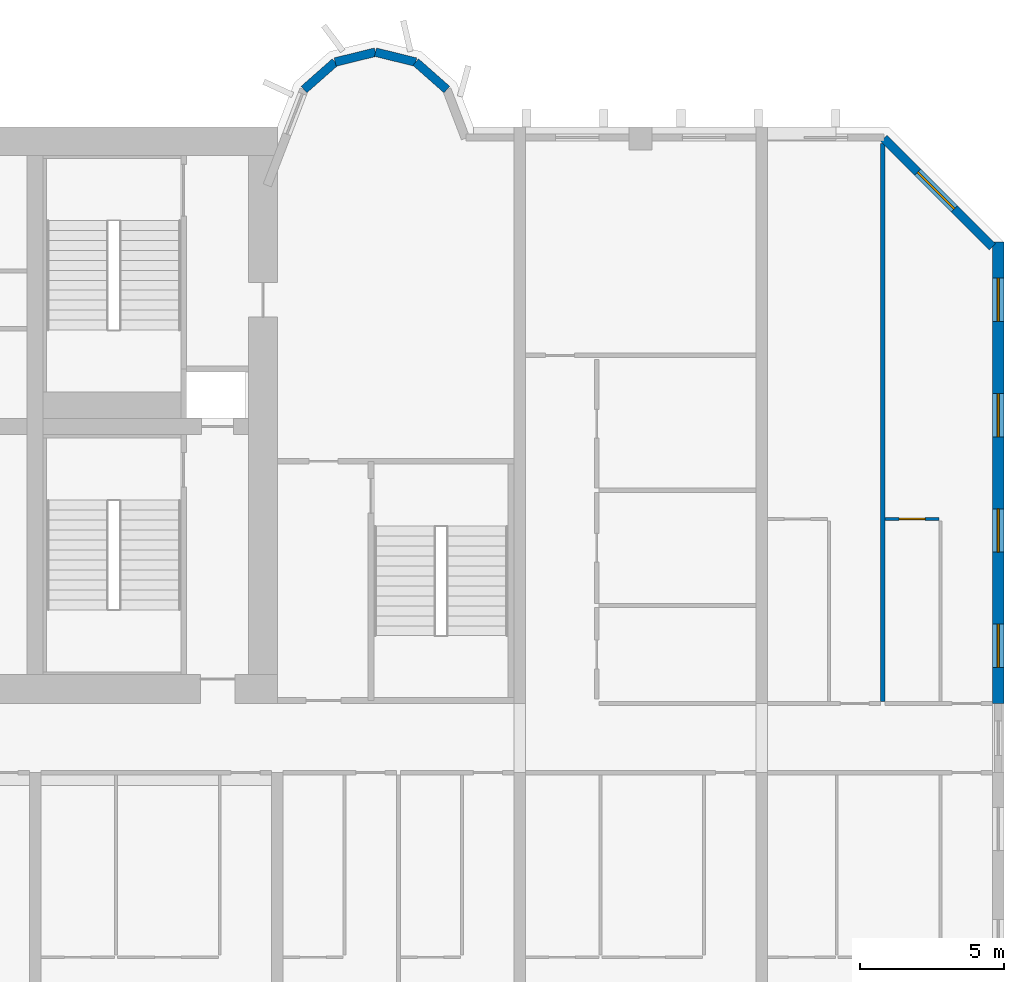
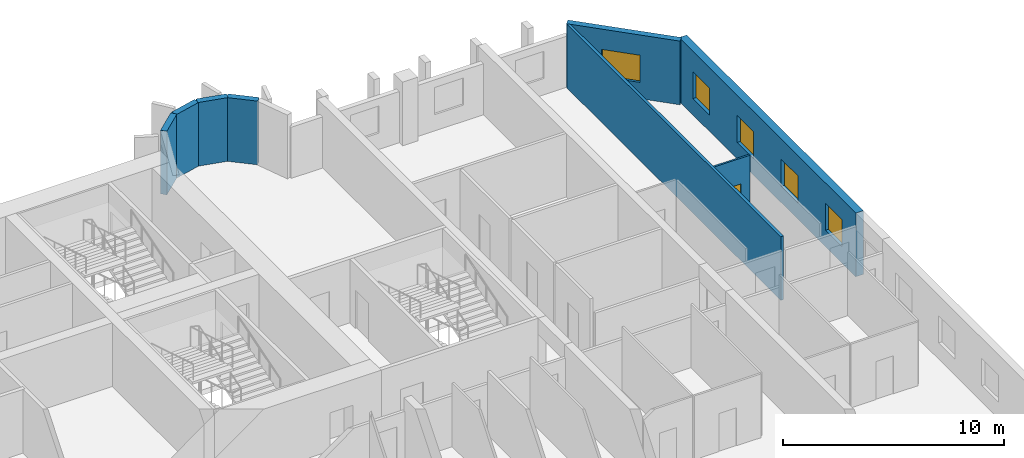
# One storey, part 11 of 15: 8 walls, 5 windows, 1 door, 6 openings.
"""IFC4 building model written with IfcOpenShell, lengths in metres."""

from ifc_helpers import new_model, si_unit, direction, frame, frame_2d, origin, place, context, subcontext, project, spatial, rectangle, extrude, source, transform, mapped, material, layer, layer_set, type_object, element, fill, save


model = new_model("IFC4")

# Units and contexts
model_context = context("Model", 3, precision=1e-05, world=origin(), true_north=direction((0.0, 1.0)))
body_context = subcontext(model_context, "Body", "Model", "MODEL_VIEW")
ifc_project = project(units=[si_unit("LENGTHUNIT", "METRE"), si_unit("AREAUNIT", "SQUARE_METRE"), si_unit("VOLUMEUNIT", "CUBIC_METRE"), si_unit("PLANEANGLEUNIT", "RADIAN"), si_unit("MASSUNIT", "GRAM", prefix="KILO")], contexts=[model_context])

# Site, building, storey
site_placement = place(None, origin())
site = spatial("IfcSite", under=ifc_project, at=site_placement, CompositionType="ELEMENT")
building_placement = place(site_placement, origin())
building = spatial("IfcBuilding", under=site, at=building_placement, Name="Vanashikhar Sky Hotel", CompositionType="ELEMENT")
storey_placement = place(building_placement, frame((0.0, 0.0, 46.800048828125)))
storey = spatial("IfcBuildingStorey", under=building, at=storey_placement, Name="L10", CompositionType="ELEMENT", Elevation=46.800048828125)

# Wall, openings, windows
ifc_material_1 = material(Name="Concrete M80", Category="concrete")
ifc_layer_1 = layer(ifc_material_1, 0.39990234375)
ifc_layer_set_1 = layer_set([ifc_layer_1], Name="RC shear wall 400 Concrete M80")
wall_type_1 = type_object("IfcWallType", Name="RC shear wall 400 Concrete M80", PredefinedType="SHEAR", material=ifc_layer_set_1)
shared_shape_1 = source(origin(), body_context, "Body", "SweptSolid", [
    extrude(rectangle(XDim=16.0, YDim=0.39990234375, at=frame_2d((8.0, 0.0))), origin(), (0.0, 0.0, 1.0), 3.52001953125),
])
wall_1_placement = place(storey_placement, frame((100.60009765625, 22.0, 0.0), z_axis=(0.0, 0.0, 1.0), x_axis=(0.0, 1.0, 0.0)))
wall_1 = element("IfcWall", 1, at=wall_1_placement, inside=storey, type_object=wall_type_1, Name="CW-L10-XW13-2", PredefinedType="SHEAR", context=body_context, shape_type="MappedRepresentation", body=[
    mapped(shared_shape_1, transform((0.0, 0.0, 0.0), scale=1.0)),
])
shared_shape_2 = source(origin(), body_context, "Body", "SweptSolid", [
    extrude(rectangle(XDim=1.5, YDim=1.5, at=frame_2d((0.75, 0.75))), frame((0.0, 0.2099609375, 0.0), z_axis=(0.0, -1.0, 0.0), x_axis=(1.0, 0.0, 0.0)), (0.0, 0.0, 1.0), 0.419921875),
])
opening_1_placement = place(wall_1_placement, frame((1.25, 0.0, 0.89990234375)))
opening_1 = element("IfcOpeningElement", 2, at=opening_1_placement, cuts=wall_1, Name="Opening WN-1", PredefinedType="OPENING", context=body_context, shape_type="MappedRepresentation", body=[
    mapped(shared_shape_2, transform((0.0, 0.0, 0.0), scale=1.0)),
])
opening_2_placement = place(wall_1_placement, frame((5.25, 0.0, 0.89990234375)))
opening_2 = element("IfcOpeningElement", 3, at=opening_2_placement, cuts=wall_1, Name="Opening WN-1", PredefinedType="OPENING", context=body_context, shape_type="MappedRepresentation", body=[
    mapped(shared_shape_2, transform((0.0, 0.0, 0.0), scale=1.0)),
])
opening_3_placement = place(wall_1_placement, frame((9.25, 0.0, 0.89990234375)))
opening_3 = element("IfcOpeningElement", 4, at=opening_3_placement, cuts=wall_1, Name="Opening WN-1", PredefinedType="OPENING", context=body_context, shape_type="MappedRepresentation", body=[
    mapped(shared_shape_2, transform((0.0, 0.0, 0.0), scale=1.0)),
])
opening_4_placement = place(wall_1_placement, frame((13.25, 0.0, 0.89990234375)))
opening_4 = element("IfcOpeningElement", 5, at=opening_4_placement, cuts=wall_1, Name="Opening WN-1", PredefinedType="OPENING", context=body_context, shape_type="MappedRepresentation", body=[
    mapped(shared_shape_2, transform((0.0, 0.0, 0.0), scale=1.0)),
])
ifc_material_2 = material(Name="Glass", Category="glass")
window_type_1 = type_object("IfcWindowType", Name="Window 1500 x 1500", PartitioningType="SINGLE_PANEL", PredefinedType="WINDOW", material=ifc_material_2)
shared_shape_3 = source(origin(), body_context, "Body", "SweptSolid", [
    extrude(rectangle(XDim=1.5, YDim=1.5, at=frame_2d((0.75, 0.75))), frame((0.0, 0.030029296875, 0.0), z_axis=(0.0, -1.0, 0.0), x_axis=(1.0, 0.0, 0.0)), (0.0, 0.0, 1.0), 0.06005859375),
])
window_1_placement = place(opening_1_placement, origin())
window_1 = element("IfcWindow", 6, at=window_1_placement, inside=storey, type_object=window_type_1, Name="Window WN-1", OverallHeight=1.5, OverallWidth=1.5, PartitioningType="SINGLE_PANEL", PredefinedType="WINDOW", context=body_context, shape_type="MappedRepresentation", body=[
    mapped(shared_shape_3, transform((0.0, 0.0, 0.0), scale=1.0)),
])
fill(opening_1, window_1)
window_2_placement = place(opening_2_placement, origin())
window_2 = element("IfcWindow", 7, at=window_2_placement, inside=storey, type_object=window_type_1, Name="Window WN-1", OverallHeight=1.5, OverallWidth=1.5, PartitioningType="SINGLE_PANEL", PredefinedType="WINDOW", context=body_context, shape_type="MappedRepresentation", body=[
    mapped(shared_shape_3, transform((0.0, 0.0, 0.0), scale=1.0)),
])
fill(opening_2, window_2)
window_3_placement = place(opening_3_placement, origin())
window_3 = element("IfcWindow", 8, at=window_3_placement, inside=storey, type_object=window_type_1, Name="Window WN-1", OverallHeight=1.5, OverallWidth=1.5, PartitioningType="SINGLE_PANEL", PredefinedType="WINDOW", context=body_context, shape_type="MappedRepresentation", body=[
    mapped(shared_shape_3, transform((0.0, 0.0, 0.0), scale=1.0)),
])
fill(opening_3, window_3)
window_4_placement = place(opening_4_placement, origin())
window_4 = element("IfcWindow", 9, at=window_4_placement, inside=storey, type_object=window_type_1, Name="Window WN-1", OverallHeight=1.5, OverallWidth=1.5, PartitioningType="SINGLE_PANEL", PredefinedType="WINDOW", context=body_context, shape_type="MappedRepresentation", body=[
    mapped(shared_shape_3, transform((0.0, 0.0, 0.0), scale=1.0)),
])
fill(opening_4, window_4)

# Wall, opening, window
ifc_material_3 = material(Name="Concrete M50", Category="concrete")
ifc_layer_2 = layer(ifc_material_3, 0.300048828125)
ifc_layer_set_2 = layer_set([ifc_layer_2], Name="Lobe wall 300")
wall_type_2 = type_object("IfcWallType", Name="Lobe wall 300", PredefinedType="SOLIDWALL", material=ifc_layer_set_2)
shared_shape_4 = source(origin(), body_context, "Body", "SweptSolid", [
    extrude(rectangle(XDim=5.32568359375, YDim=0.300048828125, at=frame_2d((2.662841796875, 0.0))), origin(), (0.0, 0.0, 1.0), 3.52001953125),
])
wall_2_placement = place(storey_placement, frame((100.39990234375, 37.834228515625, 0.0), z_axis=(0.0, 0.0, 1.0), x_axis=(-0.707083859269, 0.707129702361, 0.0)))
wall_2 = element("IfcWall", 10, at=wall_2_placement, inside=storey, type_object=wall_type_2, Name="Corner wall", PredefinedType="SOLIDWALL", context=body_context, shape_type="MappedRepresentation", body=[
    mapped(shared_shape_4, transform((0.0, 0.0, 0.0), scale=1.0)),
])
shared_shape_5 = source(origin(), body_context, "Body", "SweptSolid", [
    extrude(rectangle(XDim=1.800048828125, YDim=1.5, at=frame_2d((0.89990234375, 0.75))), frame((0.0, 0.16015625, 0.0), z_axis=(0.0, -1.0, 0.0), x_axis=(1.0, 0.0, 0.0)), (0.0, 0.0, 1.0), 0.320068359375),
])
opening_5_placement = place(wall_2_placement, frame((1.871337890625, 0.0, 0.89990234375)))
opening_5 = element("IfcOpeningElement", 11, at=opening_5_placement, cuts=wall_2, Name="Opening WN-4", PredefinedType="OPENING", context=body_context, shape_type="MappedRepresentation", body=[
    mapped(shared_shape_5, transform((0.0, 0.0, 0.0), scale=1.0)),
])
window_type_2 = type_object("IfcWindowType", Name="Corner window 1800 x 1500", PartitioningType="SINGLE_PANEL", PredefinedType="WINDOW", material=ifc_material_2)
shared_shape_6 = source(origin(), body_context, "Body", "SweptSolid", [
    extrude(rectangle(XDim=1.800048828125, YDim=1.5, at=frame_2d((0.89990234375, 0.75))), frame((0.0, 0.030029296875, 0.0), z_axis=(0.0, -1.0, 0.0), x_axis=(1.0, 0.0, 0.0)), (0.0, 0.0, 1.0), 0.06005859375),
])
window_5_placement = place(opening_5_placement, origin())
window_5 = element("IfcWindow", 12, at=window_5_placement, inside=storey, type_object=window_type_2, Name="Window WN-4", OverallHeight=1.5, OverallWidth=1.800048828125, PartitioningType="SINGLE_PANEL", PredefinedType="WINDOW", context=body_context, shape_type="MappedRepresentation", body=[
    mapped(shared_shape_6, transform((0.0, 0.0, 0.0), scale=1.0)),
])
fill(opening_5, window_5)

# Walls
shared_shape_7 = source(origin(), body_context, "Body", "SweptSolid", [
    extrude(rectangle(XDim=1.438720703125, YDim=0.300048828125, at=frame_2d((0.71923828125, 0.0))), origin(), (0.0, 0.0, 1.0), 3.52001953125),
])
for number, where, z_axis, x_axis, name in (
    (13, (80.397216796875, 44.2451171875, 0.0), (0.0, 0.0, 1.0), (-0.971161932466, 0.238420848351, 0.0), "Lobe wall"),
    (14, (79.0, 44.588134765625, 0.0), (0.0, 0.0, 1.0), (-0.971161932466, -0.238420848351, 0.0), "Lobe wall"),
):
    element("IfcWall", number, at=place(storey_placement, frame(where, z_axis=z_axis, x_axis=x_axis)), inside=storey, type_object=wall_type_2, Name=name, PredefinedType="SOLIDWALL", context=body_context, shape_type="MappedRepresentation", body=[
        mapped(shared_shape_7, transform((0.0, 0.0, 0.0), scale=1.0)),
    ])
shared_shape_8 = source(origin(), body_context, "Body", "SweptSolid", [
    extrude(rectangle(XDim=1.43994140625, YDim=0.300048828125, at=frame_2d((0.719970703125, 0.0))), origin(), (0.0, 0.0, 1.0), 3.52001953125),
])
for number, where, z_axis, x_axis, name in (
    (15, (81.4765625, 43.2919921875, 0.0), (0.0, 0.0, 1.0), (-0.74957555648, 0.661918790432, 0.0), "Lobe wall"),
    (16, (77.602783203125, 44.2451171875, 0.0), (0.0, 0.0, 1.0), (-0.74957555648, -0.661918790432, 0.0), "Lobe wall"),
):
    element("IfcWall", number, at=place(storey_placement, frame(where, z_axis=z_axis, x_axis=x_axis)), inside=storey, type_object=wall_type_2, Name=name, PredefinedType="SOLIDWALL", context=body_context, shape_type="MappedRepresentation", body=[
        mapped(shared_shape_8, transform((0.0, 0.0, 0.0), scale=1.0)),
    ])
ifc_material_4 = material(Name="Gypsum plasterboard partition")
ifc_layer_3 = layer(ifc_material_4, 0.14990234375)
ifc_layer_set_3 = layer_set([ifc_layer_3], Name="Corridor and demising partition 150")
wall_type_3 = type_object("IfcWallType", Name="Corridor and demising partition 150", PredefinedType="PARTITIONING", material=ifc_layer_set_3)
shared_shape_9 = source(origin(), body_context, "Body", "SweptSolid", [
    extrude(rectangle(XDim=19.34716796875, YDim=0.14990234375, at=frame_2d((9.673583984375, 0.0))), origin(), (0.0, 0.0, 1.0), 3.52001953125),
])
wall_3_placement = place(storey_placement, frame((96.60009765625, 22.074951171875, 0.0), z_axis=(0.0, 0.0, 1.0), x_axis=(0.0, 1.0, 0.0)))
element("IfcWall", 17, at=wall_3_placement, inside=storey, type_object=wall_type_3, Name="W-L10-PW095", PredefinedType="PARTITIONING", context=body_context, shape_type="MappedRepresentation", body=[
    mapped(shared_shape_9, transform((0.0, 0.0, 0.0), scale=1.0)),
])

# Wall, opening, door
ifc_layer_4 = layer(ifc_material_4, 0.10009765625)
ifc_layer_set_4 = layer_set([ifc_layer_4], Name="Wet room partition 100")
wall_type_4 = type_object("IfcWallType", Name="Wet room partition 100", PredefinedType="PARTITIONING", material=ifc_layer_set_4)
shared_shape_10 = source(origin(), body_context, "Body", "SweptSolid", [
    extrude(rectangle(XDim=1.875, YDim=0.10009765625, at=frame_2d((0.9375, 0.0))), origin(), (0.0, 0.0, 1.0), 3.52001953125),
])
wall_4_placement = place(storey_placement, frame((96.675048828125, 28.39990234375, 0.0), z_axis=(0.0, 0.0, 1.0), x_axis=(1.0, 0.0, 0.0)))
wall_4 = element("IfcWall", 18, at=wall_4_placement, inside=storey, type_object=wall_type_4, Name="W-L10-PW093", PredefinedType="PARTITIONING", context=body_context, shape_type="MappedRepresentation", body=[
    mapped(shared_shape_10, transform((0.0, 0.0, 0.0), scale=1.0)),
])
shared_shape_11 = source(origin(), body_context, "Body", "SweptSolid", [
    extrude(rectangle(XDim=0.89990234375, YDim=2.10009765625, at=frame_2d((0.449951171875, 1.050048828125))), frame((0.0, 0.06005859375, 0.0), z_axis=(0.0, -1.0, 0.0), x_axis=(1.0, 0.0, 0.0)), (0.0, 0.0, 1.0), 0.1201171875),
])
opening_6_placement = place(wall_4_placement, frame((0.488037109375, 0.0, 0.0)))
opening_6 = element("IfcOpeningElement", 19, at=opening_6_placement, cuts=wall_4, Name="Opening D-02", PredefinedType="OPENING", context=body_context, shape_type="MappedRepresentation", body=[
    mapped(shared_shape_11, transform((0.0, 0.0, 0.0), scale=1.0)),
])
ifc_material_5 = material(Name="Timber door", Category="wood")
door_type = type_object("IfcDoorType", Name="Internal door 900", OperationType="NOTDEFINED", PredefinedType="DOOR", material=ifc_material_5)
shared_shape_12 = source(origin(), body_context, "Body", "SweptSolid", [
    extrude(rectangle(XDim=0.89990234375, YDim=2.10009765625, at=frame_2d((0.449951171875, 1.050048828125))), frame((0.0, 0.02490234375, 0.0), z_axis=(0.0, -1.0, 0.0), x_axis=(1.0, 0.0, 0.0)), (0.0, 0.0, 1.0), 0.050048828125),
])
door_placement = place(opening_6_placement, origin())
door = element("IfcDoor", 20, at=door_placement, inside=storey, type_object=door_type, Name="D-L10-054", OperationType="SINGLE_SWING_RIGHT", OverallHeight=2.10009765625, OverallWidth=0.89990234375, PredefinedType="DOOR", context=body_context, shape_type="MappedRepresentation", body=[
    mapped(shared_shape_12, transform((0.0, 0.0, 0.0), scale=1.0)),
])
fill(opening_6, door)

save(model, "model.ifc")
